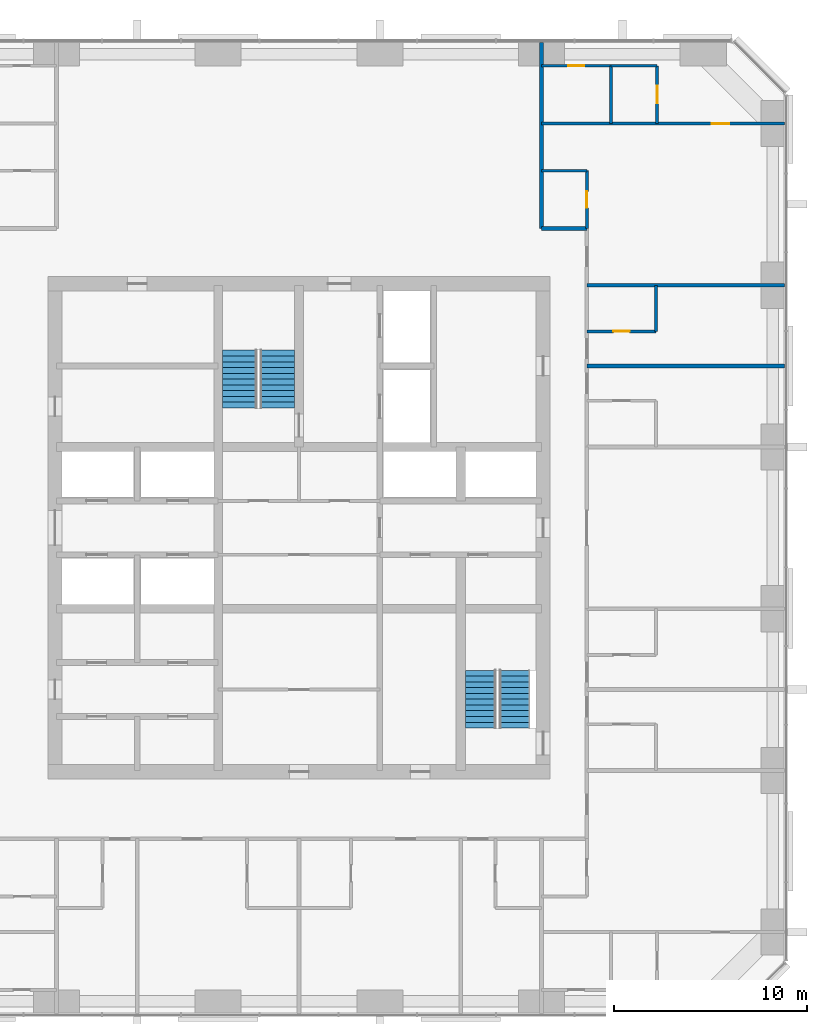
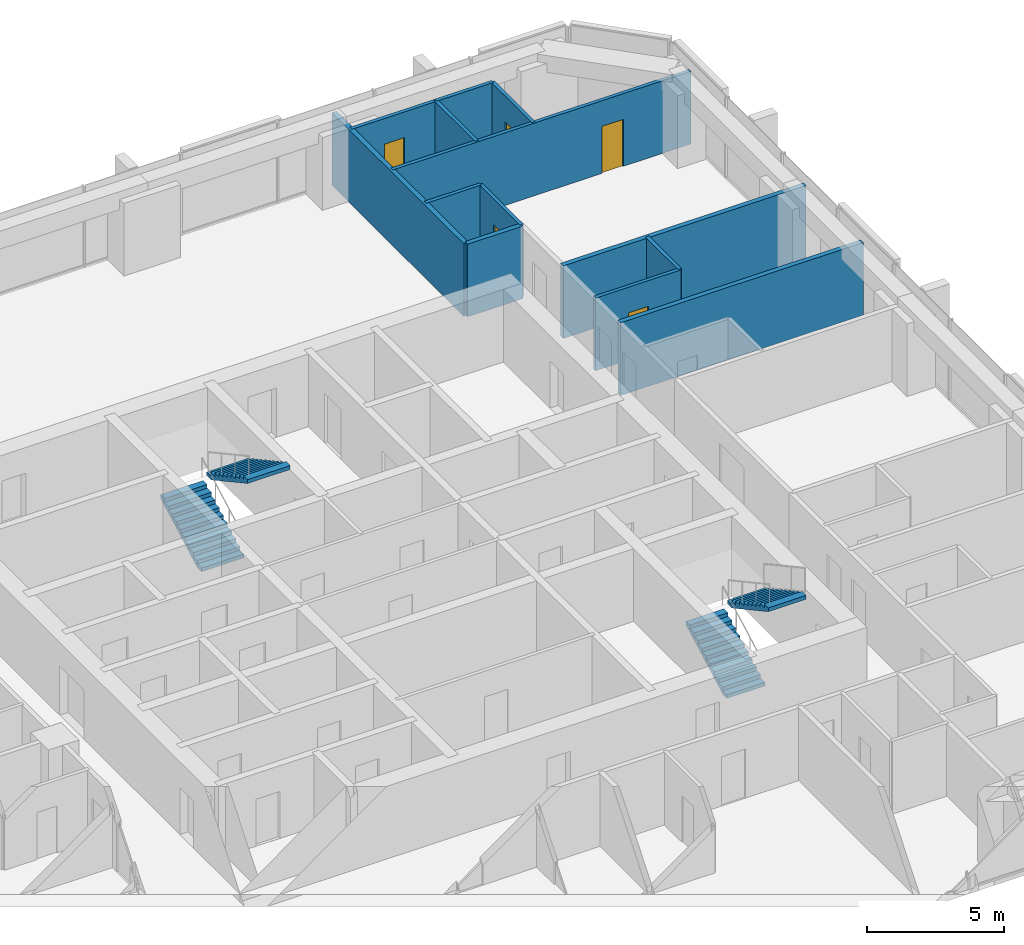
# One storey, part 12 of 13: 13 walls, 5 doors, 4 stair flights, 5 openings, 2 elements without a shape of their own.
"""IFC4 building model written with IfcOpenShell, lengths in metres."""

from ifc_helpers import new_model, si_unit, direction, frame, frame_2d, origin, place, context, subcontext, project, spatial, polyline, rectangle, outline, extrude, material, layer, layer_set, type_object, element, fill, aggregate, save


model = new_model("IFC4")

# Units and contexts
model_context = context("Model", 3, precision=1e-05, world=origin(), true_north=direction((0.0, 1.0)))
body_context = subcontext(model_context, "Body", "Model", "MODEL_VIEW")
ifc_project = project(units=[si_unit("LENGTHUNIT", "METRE"), si_unit("AREAUNIT", "SQUARE_METRE"), si_unit("VOLUMEUNIT", "CUBIC_METRE"), si_unit("PLANEANGLEUNIT", "RADIAN"), si_unit("MASSUNIT", "GRAM", prefix="KILO")], contexts=[model_context])

# Site, building, storey
site_placement = place(None, origin())
site = spatial("IfcSite", under=ifc_project, at=site_placement, CompositionType="ELEMENT")
building_placement = place(site_placement, origin())
building = spatial("IfcBuilding", under=site, at=building_placement, Name="Dunama Terrace Hotel", CompositionType="ELEMENT")
storey_placement = place(building_placement, frame((0.0, 0.0, 169.800048828125)))
storey = spatial("IfcBuildingStorey", under=building, at=storey_placement, Name="L43", CompositionType="ELEMENT", Elevation=169.800048828125)

# Wall, opening, door
ifc_material_1 = material(Name="Gypsum board partition", Category="masonry")
ifc_layer_1 = layer(ifc_material_1, 0.14990234375)
ifc_layer_set_1 = layer_set([ifc_layer_1], Name="Bathroom partition 150")
wall_type_1 = type_object("IfcWallType", Name="Bathroom partition 150", PredefinedType="PARTITIONING", material=ifc_layer_set_1)
wall_1_placement = place(storey_placement, frame((44.35009765625, 44.949951171875, 0.0), z_axis=(0.0, 0.0, 1.0), x_axis=(0.0, 1.0, 0.0)))
wall_1 = element("IfcWall", 1, at=wall_1_placement, inside=storey, type_object=wall_type_1, Name="Bathroom partition 150 L43", PredefinedType="PARTITIONING", context=body_context, shape_type="SweptSolid", body=[
    extrude(rectangle(XDim=3.0, YDim=0.14990234375, at=frame_2d((1.5, 0.0))), origin(), (0.0, 0.0, 1.0), 3.25),
])
opening_1_placement = place(wall_1_placement, frame((1.074951171875, 0.0, 0.0)))
opening_1 = element("IfcOpeningElement", 2, at=opening_1_placement, cuts=wall_1, Name="Opening L42-44-049", PredefinedType="OPENING", context=body_context, shape_type="SweptSolid", body=[
    extrude(rectangle(XDim=0.85009765625, YDim=2.10009765625, at=frame_2d((0.425048828125, 1.050048828125))), frame((0.0, 0.0849609375, 0.0), z_axis=(0.0, -1.0, 0.0), x_axis=(1.0, 0.0, 0.0)), (0.0, 0.0, 1.0), 0.169921875),
])
ifc_material_2 = material(Name="Timber door with steel frame", Category="steel")
door_type_1 = type_object("IfcDoorType", Name="Bathroom door 850", OperationType="SINGLE_SWING_LEFT", PredefinedType="DOOR", material=ifc_material_2)
door_1_placement = place(opening_1_placement, origin())
door_1 = element("IfcDoor", 3, at=door_1_placement, inside=storey, type_object=door_type_1, Name="Door to powder room L42-44-049, type D2", OperationType="SINGLE_SWING_LEFT", OverallHeight=2.10009765625, OverallWidth=0.85009765625, PredefinedType="DOOR", context=body_context, shape_type="SweptSolid", body=[
    extrude(rectangle(XDim=0.85009765625, YDim=2.10009765625, at=frame_2d((0.425048828125, 1.050048828125))), frame((0.0, 0.02490234375, 0.0), z_axis=(0.0, -1.0, 0.0), x_axis=(1.0, 0.0, 0.0)), (0.0, 0.0, 1.0), 0.050048828125),
])
fill(opening_1, door_1)

# Wall
wall_2_placement = place(storey_placement, frame((47.949951171875, 39.60009765625, 0.0), z_axis=(0.0, 0.0, 1.0), x_axis=(0.0, 1.0, 0.0)))
element("IfcWall", 4, at=wall_2_placement, inside=storey, type_object=wall_type_1, Name="Bathroom partition 150 L43", PredefinedType="PARTITIONING", context=body_context, shape_type="SweptSolid", body=[
    extrude(rectangle(XDim=2.39990234375, YDim=0.14990234375, at=frame_2d((1.199951171875, 0.0))), origin(), (0.0, 0.0, 1.0), 3.25),
])

# Wall, opening, door
wall_3_placement = place(storey_placement, frame((44.35009765625, 39.60009765625, 0.0), z_axis=(0.0, 0.0, 1.0), x_axis=(1.0, 0.0, 0.0)))
wall_3 = element("IfcWall", 5, at=wall_3_placement, inside=storey, type_object=wall_type_1, Name="Bathroom partition 150 L43", PredefinedType="PARTITIONING", context=body_context, shape_type="SweptSolid", body=[
    extrude(rectangle(XDim=3.599853515625, YDim=0.14990234375, at=frame_2d((1.7998046875, 0.0))), origin(), (0.0, 0.0, 1.0), 3.25),
])
opening_2_placement = place(wall_3_placement, frame((1.375, 0.0, 0.0)))
opening_2 = element("IfcOpeningElement", 6, at=opening_2_placement, cuts=wall_3, Name="Opening L42-44-025", PredefinedType="OPENING", context=body_context, shape_type="SweptSolid", body=[
    extrude(rectangle(XDim=0.85009765625, YDim=2.10009765625, at=frame_2d((0.425048828125, 1.050048828125))), frame((0.0, 0.0849609375, 0.0), z_axis=(0.0, -1.0, 0.0), x_axis=(1.0, 0.0, 0.0)), (0.0, 0.0, 1.0), 0.169921875),
])
door_2_placement = place(opening_2_placement, origin())
door_2 = element("IfcDoor", 7, at=door_2_placement, inside=storey, type_object=door_type_1, Name="Door to en-suite bathroom L42-44-025, type D2", OperationType="SINGLE_SWING_LEFT", OverallHeight=2.10009765625, OverallWidth=0.85009765625, PredefinedType="DOOR", context=body_context, shape_type="SweptSolid", body=[
    extrude(rectangle(XDim=0.85009765625, YDim=2.10009765625, at=frame_2d((0.425048828125, 1.050048828125))), frame((0.0, 0.02490234375, 0.0), z_axis=(0.0, -1.0, 0.0), x_axis=(1.0, 0.0, 0.0)), (0.0, 0.0, 1.0), 0.050048828125),
])
fill(opening_2, door_2)

# Wall
wall_4_placement = place(storey_placement, frame((42.0, 47.949951171875, 0.0), z_axis=(0.0, 0.0, 1.0), x_axis=(1.0, 0.0, 0.0)))
element("IfcWall", 8, at=wall_4_placement, inside=storey, type_object=wall_type_1, Name="Bathroom partition 150 L43", PredefinedType="PARTITIONING", context=body_context, shape_type="SweptSolid", body=[
    extrude(rectangle(XDim=2.35009765625, YDim=0.14990234375, at=frame_2d((1.175048828125, 0.0))), origin(), (0.0, 0.0, 1.0), 3.25),
])

# Wall, opening, door
wall_5_placement = place(storey_placement, frame((42.0, 53.39990234375, 0.0), z_axis=(0.0, 0.0, 1.0), x_axis=(1.0, 0.0, 0.0)))
wall_5 = element("IfcWall", 9, at=wall_5_placement, inside=storey, type_object=wall_type_1, Name="Bathroom partition 150 L43", PredefinedType="PARTITIONING", context=body_context, shape_type="SweptSolid", body=[
    extrude(rectangle(XDim=3.60009765625, YDim=0.14990234375, at=frame_2d((1.800048828125, 0.0))), origin(), (0.0, 0.0, 1.0), 3.25),
])
opening_3_placement = place(wall_5_placement, frame((1.375, 0.0, 0.0)))
opening_3 = element("IfcOpeningElement", 10, at=opening_3_placement, cuts=wall_5, Name="Opening L42-44-051", PredefinedType="OPENING", context=body_context, shape_type="SweptSolid", body=[
    extrude(rectangle(XDim=0.85009765625, YDim=2.10009765625, at=frame_2d((0.425048828125, 1.050048828125))), frame((0.0, 0.0849609375, 0.0), z_axis=(0.0, -1.0, 0.0), x_axis=(1.0, 0.0, 0.0)), (0.0, 0.0, 1.0), 0.169921875),
])
door_3_placement = place(opening_3_placement, frame((0.85009765625, 0.0, 0.0), z_axis=(0.0, 0.0, 1.0), x_axis=(-1.0, 0.0, 0.0)))
door_3 = element("IfcDoor", 11, at=door_3_placement, inside=storey, type_object=door_type_1, Name="Door to en-suite bathroom L42-44-051, type D2", OperationType="SINGLE_SWING_RIGHT", OverallHeight=2.10009765625, OverallWidth=0.85009765625, PredefinedType="DOOR", context=body_context, shape_type="SweptSolid", body=[
    extrude(rectangle(XDim=0.85009765625, YDim=2.10009765625, at=frame_2d((0.425048828125, 1.050048828125))), frame((0.0, 0.025146484375, 0.0), z_axis=(0.0, -1.0, 0.0), x_axis=(1.0, 0.0, 0.0)), (0.0, 0.0, 1.0), 0.050048828125),
])
fill(opening_3, door_3)

# Walls
ifc_material_3 = material(Name="Concrete blockwork", Category="masonry")
ifc_layer_2 = layer(ifc_material_3, 0.199951171875)
ifc_layer_set_2 = layer_set([ifc_layer_2], Name="Corridor partition 200")
wall_type_2 = type_object("IfcWallType", Name="Corridor partition 200", PredefinedType="PARTITIONING", material=ifc_layer_set_2)
wall_6_placement = place(storey_placement, frame((42.0, 44.949951171875, 0.0), z_axis=(0.0, 0.0, 1.0), x_axis=(1.0, 0.0, 0.0)))
element("IfcWall", 12, at=wall_6_placement, inside=storey, type_object=wall_type_2, Name="Corridor partition 200 L43", PredefinedType="PARTITIONING", context=body_context, shape_type="SweptSolid", body=[
    extrude(rectangle(XDim=2.35009765625, YDim=0.199951171875, at=frame_2d((1.175048828125, 0.0))), origin(), (0.0, 0.0, 1.0), 3.25),
])
wall_7_placement = place(storey_placement, frame((42.0, 54.617919921875, 0.0), z_axis=(0.0, 0.0, 1.0), x_axis=(0.0, -1.0, 0.0)))
element("IfcWall", 13, at=wall_7_placement, inside=storey, type_object=wall_type_2, Name="Corridor partition 200 L43", PredefinedType="PARTITIONING", context=body_context, shape_type="SweptSolid", body=[
    extrude(rectangle(XDim=9.66796875, YDim=0.199951171875, at=frame_2d((4.833984375, 0.0))), origin(), (0.0, 0.0, 1.0), 3.25),
])
ifc_material_4 = material(Name="Concrete blockwork", Category="masonry")
ifc_layer_3 = layer(ifc_material_4, 0.199951171875)
ifc_layer_set_3 = layer_set([ifc_layer_3], Name="Party wall 200")
wall_type_3 = type_object("IfcWallType", Name="Party wall 200", PredefinedType="PARTITIONING", material=ifc_layer_set_3)
for number, where, z_axis, x_axis, name in (
    (14, (44.35009765625, 37.800048828125, 0.0), (0.0, 0.0, 1.0), (1.0, 0.0, 0.0), "Party wall 200 L43"),
    (15, (44.35009765625, 42.0, 0.0), (0.0, 0.0, 1.0), (1.0, 0.0, 0.0), "Party wall 200 L43"),
):
    element("IfcWall", number, at=place(storey_placement, frame(where, z_axis=z_axis, x_axis=x_axis)), inside=storey, type_object=wall_type_3, Name=name, PredefinedType="PARTITIONING", context=body_context, shape_type="SweptSolid", body=[
        extrude(rectangle(XDim=10.267822265625, YDim=0.199951171875, at=frame_2d((5.1337890625, 0.0))), origin(), (0.0, 0.0, 1.0), 3.25),
    ])
ifc_material_5 = material(Name="Gypsum board partition", Category="masonry")
ifc_layer_4 = layer(ifc_material_5, 0.14990234375)
ifc_layer_set_4 = layer_set([ifc_layer_4], Name="Room partition 150")
wall_type_4 = type_object("IfcWallType", Name="Room partition 150", PredefinedType="PARTITIONING", material=ifc_layer_set_4)
wall_8_placement = place(storey_placement, frame((45.60009765625, 50.39990234375, 0.0), z_axis=(0.0, 0.0, 1.0), x_axis=(0.0, 1.0, 0.0)))
element("IfcWall", 16, at=wall_8_placement, inside=storey, type_object=wall_type_4, Name="Room partition 150 L43", PredefinedType="PARTITIONING", context=body_context, shape_type="SweptSolid", body=[
    extrude(rectangle(XDim=3.0, YDim=0.14990234375, at=frame_2d((1.5, 0.0))), origin(), (0.0, 0.0, 1.0), 3.25),
])

# Wall, opening, door
wall_9_placement = place(storey_placement, frame((48.0, 50.39990234375, 0.0), z_axis=(0.0, 0.0, 1.0), x_axis=(0.0, 1.0, 0.0)))
wall_9 = element("IfcWall", 17, at=wall_9_placement, inside=storey, type_object=wall_type_4, Name="Room partition 150 L43", PredefinedType="PARTITIONING", context=body_context, shape_type="SweptSolid", body=[
    extrude(rectangle(XDim=3.0, YDim=0.14990234375, at=frame_2d((1.5, 0.0))), origin(), (0.0, 0.0, 1.0), 3.25),
])
opening_4_placement = place(wall_9_placement, frame((1.050048828125, 0.0, 0.0)))
opening_4 = element("IfcOpeningElement", 18, at=opening_4_placement, cuts=wall_9, Name="Opening L42-44-052", PredefinedType="OPENING", context=body_context, shape_type="SweptSolid", body=[
    extrude(rectangle(XDim=0.89990234375, YDim=2.10009765625, at=frame_2d((0.449951171875, 1.050048828125))), frame((0.0, 0.0849609375, 0.0), z_axis=(0.0, -1.0, 0.0), x_axis=(1.0, 0.0, 0.0)), (0.0, 0.0, 1.0), 0.169921875),
])
ifc_material_6 = material(Name="Timber door with steel frame", Category="steel")
door_type_2 = type_object("IfcDoorType", Name="Suite internal door 900", OperationType="SINGLE_SWING_LEFT", PredefinedType="DOOR", material=ifc_material_6)
door_4_placement = place(opening_4_placement, origin())
door_4 = element("IfcDoor", 19, at=door_4_placement, inside=storey, type_object=door_type_2, Name="Door to dressing room L42-44-052, type D16", OperationType="SINGLE_SWING_LEFT", OverallHeight=2.10009765625, OverallWidth=0.89990234375, PredefinedType="DOOR", context=body_context, shape_type="SweptSolid", body=[
    extrude(rectangle(XDim=0.89990234375, YDim=2.10009765625, at=frame_2d((0.449951171875, 1.050048828125))), frame((0.0, 0.02490234375, 0.0), z_axis=(0.0, -1.0, 0.0), x_axis=(1.0, 0.0, 0.0)), (0.0, 0.0, 1.0), 0.050048828125),
])
fill(opening_4, door_4)

wall_10_placement = place(storey_placement, frame((42.0, 50.39990234375, 0.0), z_axis=(0.0, 0.0, 1.0), x_axis=(1.0, 0.0, 0.0)))
wall_10 = element("IfcWall", 20, at=wall_10_placement, inside=storey, type_object=wall_type_4, Name="Room partition 150 L43", PredefinedType="PARTITIONING", context=body_context, shape_type="SweptSolid", body=[
    extrude(rectangle(XDim=12.617919921875, YDim=0.14990234375, at=frame_2d((6.30908203125, 0.0))), origin(), (0.0, 0.0, 1.0), 3.25),
])
opening_5_placement = place(wall_10_placement, frame((8.85009765625, 0.0, 0.0)))
opening_5 = element("IfcOpeningElement", 21, at=opening_5_placement, cuts=wall_10, Name="Opening L42-44-050", PredefinedType="OPENING", context=body_context, shape_type="SweptSolid", body=[
    extrude(rectangle(XDim=0.89990234375, YDim=2.10009765625, at=frame_2d((0.449951171875, 1.050048828125))), frame((0.0, 0.0849609375, 0.0), z_axis=(0.0, -1.0, 0.0), x_axis=(1.0, 0.0, 0.0)), (0.0, 0.0, 1.0), 0.169921875),
])
door_5_placement = place(opening_5_placement, origin())
door_5 = element("IfcDoor", 22, at=door_5_placement, inside=storey, type_object=door_type_2, Name="Door to corner suite bedroom L42-44-050, type D16", OperationType="SINGLE_SWING_RIGHT", OverallHeight=2.10009765625, OverallWidth=0.89990234375, PredefinedType="DOOR", context=body_context, shape_type="SweptSolid", body=[
    extrude(rectangle(XDim=0.89990234375, YDim=2.10009765625, at=frame_2d((0.449951171875, 1.050048828125))), frame((0.0, 0.02490234375, 0.0), z_axis=(0.0, -1.0, 0.0), x_axis=(1.0, 0.0, 0.0)), (0.0, 0.0, 1.0), 0.050048828125),
])
fill(opening_5, door_5)

# Wall
wall_11_placement = place(storey_placement, frame((45.60009765625, 53.39990234375, 0.0), z_axis=(0.0, 0.0, 1.0), x_axis=(1.0, 0.0, 0.0)))
element("IfcWall", 23, at=wall_11_placement, inside=storey, type_object=wall_type_4, Name="Room partition 150 L43", PredefinedType="PARTITIONING", context=body_context, shape_type="SweptSolid", body=[
    extrude(rectangle(XDim=2.39990234375, YDim=0.14990234375, at=frame_2d((1.199951171875, 0.0))), origin(), (0.0, 0.0, 1.0), 3.25),
])

# Stair, stair flights
ifc_material_7 = material(Name="Concrete C40/50", Category="concrete")
stair_type_1 = type_object("IfcStairType", Name="Stair ST1-3600-1800", PredefinedType="HALF_TURN_STAIR", material=ifc_material_7)
stair_1_placement = place(storey_placement, origin())
stair_1 = element("IfcStair", 24, at=stair_1_placement, inside=storey, type_object=stair_type_1, Name="Stair ST1 L43", PredefinedType="HALF_TURN_STAIR")
ifc_material_8 = material(Name="Concrete C40/50", Category="concrete")
stair_flight_type_1 = type_object("IfcStairFlightType", Name="Stair flight ST1-3600-1800", PredefinedType="STRAIGHT", material=ifc_material_8)
stair_flight_1_placement = place(storey_placement, frame((26.324951171875, 35.625, 0.0), z_axis=(0.0, 0.0, 1.0), x_axis=(0.0, 1.0, 0.0)))
stair_flight_1 = element("IfcStairFlight", 25, at=stair_flight_1_placement, type_object=stair_flight_type_1, Name="ST1 flight 1", NumberOfRisers=11, NumberOfTreads=10, PredefinedType="STRAIGHT", RiserHeight=0.163636364, TreadLength=0.3, context=body_context, shape_type="SweptSolid", body=[
    extrude(outline(polyline([(0.0, 0.0), (0.0, 0.16357421875), (0.300048828125, 0.16357421875), (0.300048828125, 0.327392578125), (0.60009765625, 0.327392578125), (0.60009765625, 0.490966796875), (0.89990234375, 0.490966796875), (0.89990234375, 0.654541015625), (1.199951171875, 0.654541015625), (1.199951171875, 0.818115234375), (1.5, 0.818115234375), (1.5, 0.98193359375), (1.800048828125, 0.98193359375), (1.800048828125, 1.1455078125), (2.10009765625, 1.1455078125), (2.10009765625, 1.30908203125), (2.39990234375, 1.30908203125), (2.39990234375, 1.47265625), (2.699951171875, 1.47265625), (2.699951171875, 1.636474609375), (3.0, 1.636474609375), (3.0, 1.800048828125), (3.0, 1.465576171875), (0.31298828125, 0.0), (0.0, 0.0)])), frame((0.0, 0.89990234375, 0.0), z_axis=(0.0, -1.0, 0.0), x_axis=(1.0, 0.0, 0.0)), (0.0, 0.0, 1.0), 1.800048828125),
])
stair_flight_2_placement = place(storey_placement, frame((28.27490234375, 38.625, 1.800048828125), z_axis=(0.0, 0.0, 1.0), x_axis=(0.0, -1.0, 0.0)))
stair_flight_2 = element("IfcStairFlight", 26, at=stair_flight_2_placement, type_object=stair_flight_type_1, Name="ST1 flight 2", NumberOfRisers=11, NumberOfTreads=10, PredefinedType="STRAIGHT", RiserHeight=0.163636364, TreadLength=0.3, context=body_context, shape_type="SweptSolid", body=[
    extrude(outline(polyline([(0.0, 0.0), (0.0, 0.16357421875), (0.300048828125, 0.16357421875), (0.300048828125, 0.327392578125), (0.60009765625, 0.327392578125), (0.60009765625, 0.490966796875), (0.89990234375, 0.490966796875), (0.89990234375, 0.654541015625), (1.199951171875, 0.654541015625), (1.199951171875, 0.818115234375), (1.5, 0.818115234375), (1.5, 0.98193359375), (1.800048828125, 0.98193359375), (1.800048828125, 1.1455078125), (2.10009765625, 1.1455078125), (2.10009765625, 1.30908203125), (2.39990234375, 1.30908203125), (2.39990234375, 1.47265625), (2.699951171875, 1.47265625), (2.699951171875, 1.636474609375), (3.0, 1.636474609375), (3.0, 1.800048828125), (3.0, 1.465576171875), (0.31298828125, 0.0), (0.0, 0.0)])), frame((0.0, 0.89990234375, 0.0), z_axis=(0.0, -1.0, 0.0), x_axis=(1.0, 0.0, 0.0)), (0.0, 0.0, 1.0), 1.800048828125),
])
aggregate(stair_1, [stair_flight_1, stair_flight_2])

ifc_material_9 = material(Name="Concrete C40/50", Category="concrete")
stair_type_2 = type_object("IfcStairType", Name="Stair ST2-3600-1600", PredefinedType="HALF_TURN_STAIR", material=ifc_material_9)
stair_2_placement = place(storey_placement, origin())
stair_2 = element("IfcStair", 27, at=stair_2_placement, inside=storey, type_object=stair_type_2, Name="Stair ST2 L43", PredefinedType="HALF_TURN_STAIR")
ifc_material_10 = material(Name="Concrete C40/50", Category="concrete")
stair_flight_type_2 = type_object("IfcStairFlightType", Name="Stair flight ST2-3600-1600", PredefinedType="STRAIGHT", material=ifc_material_10)
stair_flight_3_placement = place(storey_placement, frame((38.85009765625, 19.0, 0.0), z_axis=(0.0, 0.0, 1.0), x_axis=(0.0, 1.0, 0.0)))
stair_flight_3 = element("IfcStairFlight", 28, at=stair_flight_3_placement, type_object=stair_flight_type_2, Name="ST2 flight 1", NumberOfRisers=11, NumberOfTreads=10, PredefinedType="STRAIGHT", RiserHeight=0.163636364, TreadLength=0.3, context=body_context, shape_type="SweptSolid", body=[
    extrude(outline(polyline([(0.0, 0.0), (0.0, 0.16357421875), (0.300048828125, 0.16357421875), (0.300048828125, 0.327392578125), (0.60009765625, 0.327392578125), (0.60009765625, 0.490966796875), (0.89990234375, 0.490966796875), (0.89990234375, 0.654541015625), (1.199951171875, 0.654541015625), (1.199951171875, 0.818115234375), (1.5, 0.818115234375), (1.5, 0.98193359375), (1.800048828125, 0.98193359375), (1.800048828125, 1.1455078125), (2.10009765625, 1.1455078125), (2.10009765625, 1.30908203125), (2.39990234375, 1.30908203125), (2.39990234375, 1.47265625), (2.699951171875, 1.47265625), (2.699951171875, 1.636474609375), (3.0, 1.636474609375), (3.0, 1.800048828125), (3.0, 1.465576171875), (0.31298828125, 0.0), (0.0, 0.0)])), frame((0.0, 0.800048828125, 0.0), z_axis=(0.0, -1.0, 0.0), x_axis=(1.0, 0.0, 0.0)), (0.0, 0.0, 1.0), 1.60009765625),
])
stair_flight_4_placement = place(storey_placement, frame((40.60009765625, 22.0, 1.800048828125), z_axis=(0.0, 0.0, 1.0), x_axis=(0.0, -1.0, 0.0)))
stair_flight_4 = element("IfcStairFlight", 29, at=stair_flight_4_placement, type_object=stair_flight_type_2, Name="ST2 flight 2", NumberOfRisers=11, NumberOfTreads=10, PredefinedType="STRAIGHT", RiserHeight=0.163636364, TreadLength=0.3, context=body_context, shape_type="SweptSolid", body=[
    extrude(outline(polyline([(0.0, 0.0), (0.0, 0.16357421875), (0.300048828125, 0.16357421875), (0.300048828125, 0.327392578125), (0.60009765625, 0.327392578125), (0.60009765625, 0.490966796875), (0.89990234375, 0.490966796875), (0.89990234375, 0.654541015625), (1.199951171875, 0.654541015625), (1.199951171875, 0.818115234375), (1.5, 0.818115234375), (1.5, 0.98193359375), (1.800048828125, 0.98193359375), (1.800048828125, 1.1455078125), (2.10009765625, 1.1455078125), (2.10009765625, 1.30908203125), (2.39990234375, 1.30908203125), (2.39990234375, 1.47265625), (2.699951171875, 1.47265625), (2.699951171875, 1.636474609375), (3.0, 1.636474609375), (3.0, 1.800048828125), (3.0, 1.465576171875), (0.31298828125, 0.0), (0.0, 0.0)])), frame((0.0, 0.800048828125, 0.0), z_axis=(0.0, -1.0, 0.0), x_axis=(1.0, 0.0, 0.0)), (0.0, 0.0, 1.0), 1.60009765625),
])
aggregate(stair_2, [stair_flight_3, stair_flight_4])

save(model, "model.ifc")
